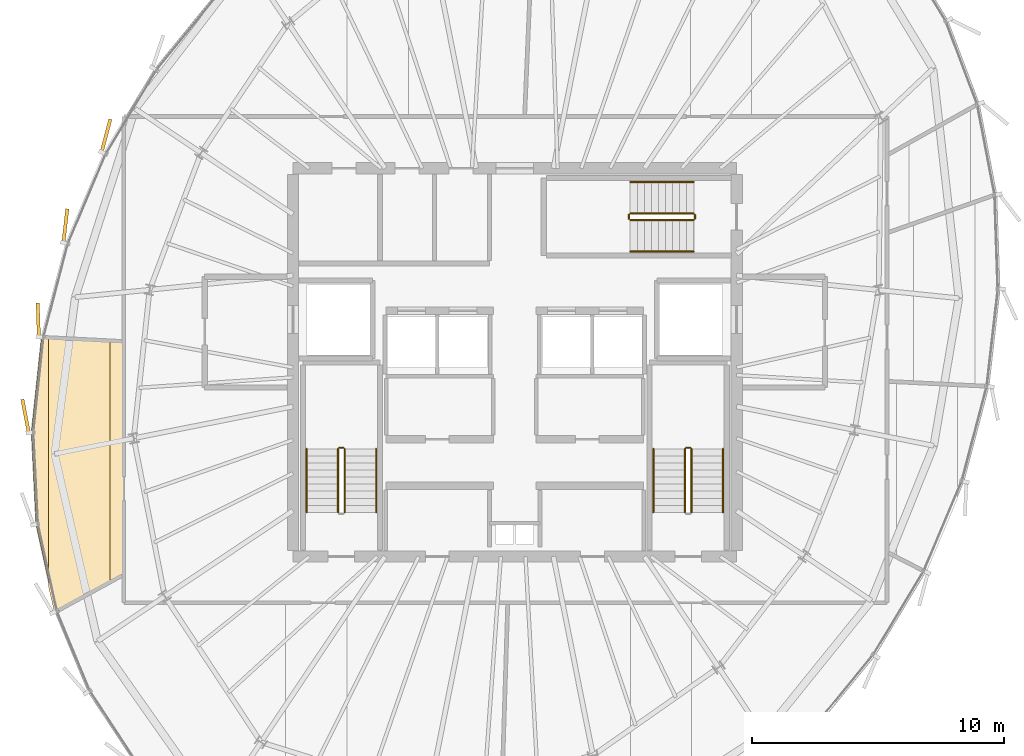
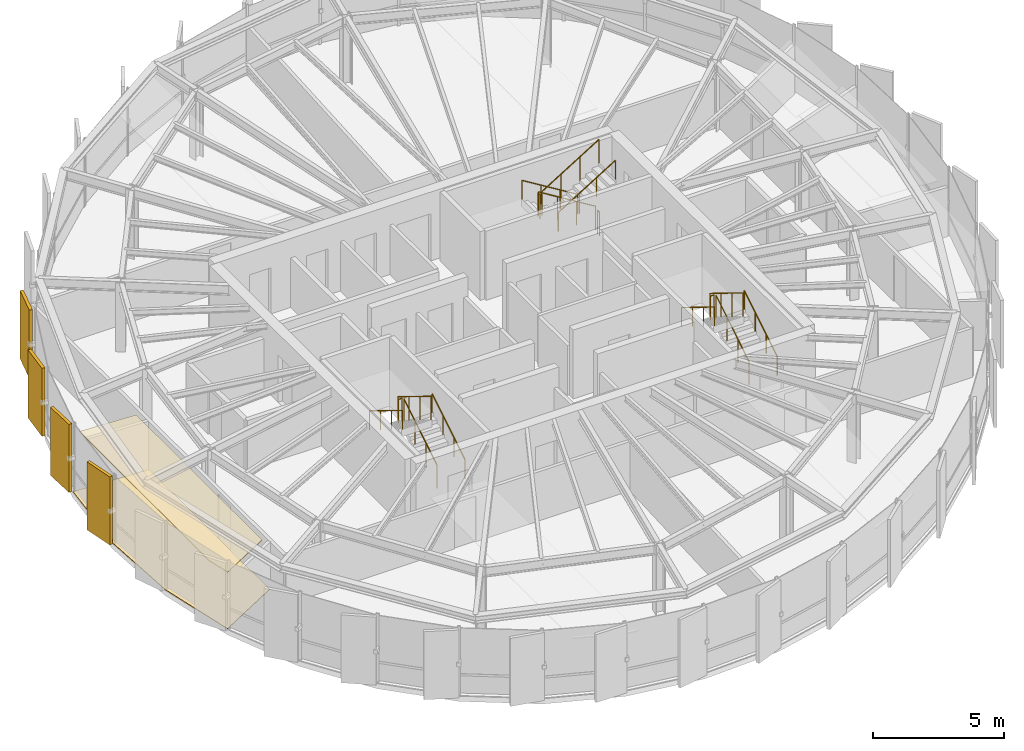
# One storey, part 30 of 31: 16 railings, 6 coverings.
"""IFC4 building model written with IfcOpenShell, lengths in metres."""

from ifc_helpers import new_model, si_unit, direction, frame, origin, origin_2d, place, context, subcontext, project, spatial, polyline, rectangle, circle, outline, extrude, source, transform, mapped, material, layer, layer_set, type_object, element, save


model = new_model("IFC4")

# Units and contexts
model_context = context("Model", 3, precision=1e-05, world=origin(), true_north=direction((0.0, 1.0)))
body_context = subcontext(model_context, "Body", "Model", "MODEL_VIEW")
ifc_project = project(units=[si_unit("LENGTHUNIT", "METRE"), si_unit("AREAUNIT", "SQUARE_METRE"), si_unit("VOLUMEUNIT", "CUBIC_METRE"), si_unit("PLANEANGLEUNIT", "RADIAN"), si_unit("MASSUNIT", "GRAM", prefix="KILO"), si_unit("THERMODYNAMICTEMPERATUREUNIT", "KELVIN")], contexts=[model_context])

# Site, building, storey
site_placement = place(None, origin())
site = spatial("IfcSite", under=ifc_project, at=site_placement, CompositionType="ELEMENT")
building_placement = place(site_placement, origin())
building = spatial("IfcBuilding", under=site, at=building_placement, Name="Kethvar Cultural Tower", CompositionType="ELEMENT")
storey_placement = place(building_placement, frame((0.0, 0.0, 287.050048828125)))
storey = spatial("IfcBuildingStorey", under=building, at=storey_placement, Name="L76", CompositionType="ELEMENT", Elevation=287.050048828125)

# Coverings
ifc_material_1 = material(Name="Acoustic Mineral Fibre Ceiling")
ifc_layer_1 = layer(ifc_material_1, 0.0400390625, Name="Acoustic Mineral Fibre Ceiling")
ifc_layer_set_1 = layer_set([ifc_layer_1], Name="Acoustic Mineral Fibre Ceiling (40 mm)")
covering_type_1 = type_object("IfcCoveringType", Name="CV-ACOUSTIC-CEIL", PredefinedType="CEILING", material=ifc_layer_set_1)
covering_1_placement = place(storey_placement, frame((0.0, 0.0, 2.669921875)))
element("IfcCovering", 1, at=covering_1_placement, inside=storey, type_object=covering_type_1, Name="L76 Room 08 Acoustic Ceiling Panel", PredefinedType="CEILING", context=body_context, shape_type="SweptSolid", body=[
    extrude(outline(polyline([(30.73779296875, 28.678466796875), (30.73779296875, 19.064453125), (28.538818359375, 17.876708984375), (28.307861328125, 18.87548828125), (28.307861328125, 28.808349609375), (30.73779296875, 28.678466796875)])), origin(), (0.0, 0.0, 1.0), 0.0400390625),
])
ifc_material_2 = material(Name="Architectural Oak Timber", Category="wood")
ifc_layer_2 = layer(ifc_material_2, 0.02490234375, Name="Architectural Oak Timber", Category="wood")
ifc_layer_set_2 = layer_set([ifc_layer_2], Name="Architectural Oak Timber (25 mm)")
covering_type_2 = type_object("IfcCoveringType", Name="CV-OAK-FLOOR", PredefinedType="FLOORING", material=ifc_layer_set_2)
covering_2_placement = place(storey_placement, origin())
element("IfcCovering", 2, at=covering_2_placement, inside=storey, type_object=covering_type_2, Name="L76 Room 08 Floor Finish", PredefinedType="FLOORING", context=body_context, shape_type="SweptSolid", body=[
    extrude(outline(polyline([(27.80126953125, 21.377197265625), (27.6181640625, 25.04736328125), (28.01611328125, 28.783935546875), (31.27001953125, 28.610107421875), (31.27001953125, 19.398681640625), (28.556396484375, 17.9267578125), (27.80126953125, 21.377197265625)])), origin(), (0.0, 0.0, 1.0), 0.02490234375),
])

# Railings
ifc_material_3 = material(Name="Steel S355J2", Category="steel")
railing_type_1 = type_object("IfcRailingType", Name="RL-STAIR-GUARD", PredefinedType="BALUSTRADE", material=ifc_material_3)
railing_1_placement = place(storey_placement, frame((40.050048828125, 21.85009765625, 0.17236328125)))
element("IfcRailing", 3, at=railing_1_placement, inside=storey, type_object=railing_type_1, Name="L76 ST-01 stair guard 1", PredefinedType="BALUSTRADE", context=body_context, shape_type="SweptSolid", body=[
    extrude(circle(Radius=0.02392578125, at=origin_2d()), frame((0.0, 0.0, 1.09619140625), z_axis=(0.0, 0.851400495292, 0.524516154772), x_axis=(-1.0, 0.0, 0.0)), (0.0, 0.0, 1.0), 2.9599609375),
    extrude(circle(Radius=0.02099609375, at=origin_2d()), origin(), (0.0, 0.0, 1.0), 1.072021484375),
    extrude(circle(Radius=0.02099609375, at=origin_2d()), frame((0.0, 0.840087890625, 0.517578125)), (0.0, 0.0, 1.0), 1.072021484375),
    extrude(circle(Radius=0.02099609375, at=origin_2d()), frame((0.0, 1.679931640625, 1.034912109375)), (0.0, 0.0, 1.0), 1.072021484375),
    extrude(circle(Radius=0.02099609375, at=origin_2d()), frame((0.0, 2.52001953125, 1.552490234375)), (0.0, 0.0, 1.0), 1.072021484375),
])
railing_2_placement = place(storey_placement, frame((40.0, 24.419921875, 1.724853515625)))
element("IfcRailing", 4, at=railing_2_placement, inside=storey, type_object=railing_type_1, Name="L76 ST-01 stair guard 2", PredefinedType="BALUSTRADE", context=body_context, shape_type="SweptSolid", body=[
    extrude(circle(Radius=0.02392578125, at=origin_2d()), frame((0.0, 0.0, 1.09619140625), z_axis=(-1.0, 0.0, 0.0), x_axis=(0.0, -1.0, 0.0)), (0.0, 0.0, 1.0), 0.159912109375),
    extrude(circle(Radius=0.02099609375, at=origin_2d()), origin(), (0.0, 0.0, 1.0), 1.072021484375),
    extrude(circle(Radius=0.02099609375, at=origin_2d()), frame((-0.159912109375, 0.0, 0.0)), (0.0, 0.0, 1.0), 1.072021484375),
])
railing_3_placement = place(storey_placement, frame((39.7900390625, 24.3701171875, 1.8974609375)))
element("IfcRailing", 5, at=railing_3_placement, inside=storey, type_object=railing_type_1, Name="L76 ST-01 stair guard 3", PredefinedType="BALUSTRADE", context=body_context, shape_type="SweptSolid", body=[
    extrude(circle(Radius=0.02392578125, at=origin_2d()), frame((0.0, 0.0, 1.09619140625), z_axis=(0.0, -0.851400495292, 0.524516154772), x_axis=(1.0, 0.0, 0.0)), (0.0, 0.0, 1.0), 2.9599609375),
    extrude(circle(Radius=0.02099609375, at=origin_2d()), origin(), (0.0, 0.0, 1.0), 1.072021484375),
    extrude(circle(Radius=0.02099609375, at=origin_2d()), frame((0.0, -0.840087890625, 0.517578125)), (0.0, 0.0, 1.0), 1.072021484375),
    extrude(circle(Radius=0.02099609375, at=origin_2d()), frame((0.0, -1.679931640625, 1.034912109375)), (0.0, 0.0, 1.0), 1.072021484375),
    extrude(circle(Radius=0.02099609375, at=origin_2d()), frame((0.0, -2.52001953125, 1.552490234375)), (0.0, 0.0, 1.0), 1.072021484375),
])
railing_4_placement = place(storey_placement, frame((53.81005859375, 21.85009765625, 0.17236328125)))
element("IfcRailing", 6, at=railing_4_placement, inside=storey, type_object=railing_type_1, Name="L76 ST-02 stair guard 1", PredefinedType="BALUSTRADE", context=body_context, shape_type="SweptSolid", body=[
    extrude(circle(Radius=0.02392578125, at=origin_2d()), frame((0.0, 0.0, 1.09619140625), z_axis=(0.0, 0.851400495292, 0.524516154772), x_axis=(-1.0, 0.0, 0.0)), (0.0, 0.0, 1.0), 2.9599609375),
    extrude(circle(Radius=0.02099609375, at=origin_2d()), origin(), (0.0, 0.0, 1.0), 1.072021484375),
    extrude(circle(Radius=0.02099609375, at=origin_2d()), frame((0.0, 0.840087890625, 0.517578125)), (0.0, 0.0, 1.0), 1.072021484375),
    extrude(circle(Radius=0.02099609375, at=origin_2d()), frame((0.0, 1.679931640625, 1.034912109375)), (0.0, 0.0, 1.0), 1.072021484375),
    extrude(circle(Radius=0.02099609375, at=origin_2d()), frame((0.0, 2.52001953125, 1.552490234375)), (0.0, 0.0, 1.0), 1.072021484375),
])
railing_5_placement = place(storey_placement, frame((53.760009765625, 24.419921875, 1.724853515625)))
element("IfcRailing", 7, at=railing_5_placement, inside=storey, type_object=railing_type_1, Name="L76 ST-02 stair guard 2", PredefinedType="BALUSTRADE", context=body_context, shape_type="SweptSolid", body=[
    extrude(circle(Radius=0.02392578125, at=origin_2d()), frame((0.0, 0.0, 1.09619140625), z_axis=(-1.0, 0.0, 0.0), x_axis=(0.0, -1.0, 0.0)), (0.0, 0.0, 1.0), 0.159912109375),
    extrude(circle(Radius=0.02099609375, at=origin_2d()), origin(), (0.0, 0.0, 1.0), 1.072021484375),
    extrude(circle(Radius=0.02099609375, at=origin_2d()), frame((-0.159912109375, 0.0, 0.0)), (0.0, 0.0, 1.0), 1.072021484375),
])
railing_6_placement = place(storey_placement, frame((53.550048828125, 24.3701171875, 1.8974609375)))
element("IfcRailing", 8, at=railing_6_placement, inside=storey, type_object=railing_type_1, Name="L76 ST-02 stair guard 3", PredefinedType="BALUSTRADE", context=body_context, shape_type="SweptSolid", body=[
    extrude(circle(Radius=0.02392578125, at=origin_2d()), frame((0.0, 0.0, 1.09619140625), z_axis=(0.0, -0.851400495292, 0.524516154772), x_axis=(1.0, 0.0, 0.0)), (0.0, 0.0, 1.0), 2.9599609375),
    extrude(circle(Radius=0.02099609375, at=origin_2d()), origin(), (0.0, 0.0, 1.0), 1.072021484375),
    extrude(circle(Radius=0.02099609375, at=origin_2d()), frame((0.0, -0.840087890625, 0.517578125)), (0.0, 0.0, 1.0), 1.072021484375),
    extrude(circle(Radius=0.02099609375, at=origin_2d()), frame((0.0, -1.679931640625, 1.034912109375)), (0.0, 0.0, 1.0), 1.072021484375),
    extrude(circle(Radius=0.02099609375, at=origin_2d()), frame((0.0, -2.52001953125, 1.552490234375)), (0.0, 0.0, 1.0), 1.072021484375),
])
railing_7_placement = place(storey_placement, frame((53.89990234375, 33.7099609375, 0.17236328125)))
element("IfcRailing", 9, at=railing_7_placement, inside=storey, type_object=railing_type_1, Name="L76 ST-03 stair guard 1", PredefinedType="BALUSTRADE", context=body_context, shape_type="SweptSolid", body=[
    extrude(circle(Radius=0.02392578125, at=origin_2d()), frame((0.0, 0.0, 1.09619140625), z_axis=(-0.851400495292, 0.0, 0.524516154772), x_axis=(0.0, -1.0, 0.0)), (0.0, 0.0, 1.0), 2.9599609375),
    extrude(circle(Radius=0.02099609375, at=origin_2d()), origin(), (0.0, 0.0, 1.0), 1.072021484375),
    extrude(circle(Radius=0.02099609375, at=origin_2d()), frame((-0.840087890625, 0.0, 0.517578125)), (0.0, 0.0, 1.0), 1.072021484375),
    extrude(circle(Radius=0.02099609375, at=origin_2d()), frame((-1.679931640625, 0.0, 1.034912109375)), (0.0, 0.0, 1.0), 1.072021484375),
    extrude(circle(Radius=0.02099609375, at=origin_2d()), frame((-2.52001953125, 0.0, 1.552490234375)), (0.0, 0.0, 1.0), 1.072021484375),
])
railing_8_placement = place(storey_placement, frame((51.330078125, 33.659912109375, 1.724853515625)))
element("IfcRailing", 10, at=railing_8_placement, inside=storey, type_object=railing_type_1, Name="L76 ST-03 stair guard 2", PredefinedType="BALUSTRADE", context=body_context, shape_type="SweptSolid", body=[
    extrude(circle(Radius=0.02392578125, at=origin_2d()), frame((0.0, 0.0, 1.09619140625), z_axis=(0.0, -1.0, 0.0), x_axis=(1.0, 0.0, 0.0)), (0.0, 0.0, 1.0), 0.159912109375),
    extrude(circle(Radius=0.02099609375, at=origin_2d()), origin(), (0.0, 0.0, 1.0), 1.072021484375),
    extrude(circle(Radius=0.02099609375, at=origin_2d()), frame((0.0, -0.159912109375, 0.0)), (0.0, 0.0, 1.0), 1.072021484375),
])
railing_9_placement = place(storey_placement, frame((51.3798828125, 33.449951171875, 1.8974609375)))
element("IfcRailing", 11, at=railing_9_placement, inside=storey, type_object=railing_type_1, Name="L76 ST-03 stair guard 3", PredefinedType="BALUSTRADE", context=body_context, shape_type="SweptSolid", body=[
    extrude(circle(Radius=0.02392578125, at=origin_2d()), frame((0.0, 0.0, 1.09619140625), z_axis=(0.851400495292, 0.0, 0.524516154772), x_axis=(0.0, 1.0, 0.0)), (0.0, 0.0, 1.0), 2.9599609375),
    extrude(circle(Radius=0.02099609375, at=origin_2d()), origin(), (0.0, 0.0, 1.0), 1.072021484375),
    extrude(circle(Radius=0.02099609375, at=origin_2d()), frame((0.840087890625, 0.0, 0.517578125)), (0.0, 0.0, 1.0), 1.072021484375),
    extrude(circle(Radius=0.02099609375, at=origin_2d()), frame((1.679931640625, 0.0, 1.034912109375)), (0.0, 0.0, 1.0), 1.072021484375),
    extrude(circle(Radius=0.02099609375, at=origin_2d()), frame((2.52001953125, 0.0, 1.552490234375)), (0.0, 0.0, 1.0), 1.072021484375),
])
railing_10_placement = place(storey_placement, frame((53.949951171875, 33.659912109375, 0.0)))
element("IfcRailing", 12, at=railing_10_placement, inside=storey, type_object=railing_type_1, Name="L76 ST-03 stair guard 4", PredefinedType="BALUSTRADE", context=body_context, shape_type="SweptSolid", body=[
    extrude(circle(Radius=0.02392578125, at=origin_2d()), frame((0.0, 0.0, 1.09619140625), z_axis=(0.0, -1.0, 0.0), x_axis=(1.0, 0.0, 0.0)), (0.0, 0.0, 1.0), 0.159912109375),
    extrude(circle(Radius=0.02099609375, at=origin_2d()), origin(), (0.0, 0.0, 1.0), 1.072021484375),
    extrude(circle(Radius=0.02099609375, at=origin_2d()), frame((0.0, -0.159912109375, 0.0)), (0.0, 0.0, 1.0), 1.072021484375),
])
railing_type_2 = type_object("IfcRailingType", Name="RL-STAIR-HANDRAIL", PredefinedType="HANDRAIL", material=ifc_material_3)
railing_11_placement = place(storey_placement, frame((41.300048828125, 21.85009765625, 0.17236328125)))
element("IfcRailing", 13, at=railing_11_placement, inside=storey, type_object=railing_type_2, Name="L76 ST-01 stair handrail 1", PredefinedType="HANDRAIL", context=body_context, shape_type="SweptSolid", body=[
    extrude(circle(Radius=0.02392578125, at=origin_2d()), frame((0.0, 0.0, 0.8759765625), z_axis=(0.0, 0.851400495292, 0.524516154772), x_axis=(-1.0, 0.0, 0.0)), (0.0, 0.0, 1.0), 2.9599609375),
    extrude(circle(Radius=0.02099609375, at=origin_2d()), origin(), (0.0, 0.0, 1.0), 0.851806640625),
    extrude(circle(Radius=0.02099609375, at=origin_2d()), frame((0.0, 0.840087890625, 0.517578125)), (0.0, 0.0, 1.0), 0.851806640625),
    extrude(circle(Radius=0.02099609375, at=origin_2d()), frame((0.0, 1.679931640625, 1.034912109375)), (0.0, 0.0, 1.0), 0.851806640625),
    extrude(circle(Radius=0.02099609375, at=origin_2d()), frame((0.0, 2.52001953125, 1.552490234375)), (0.0, 0.0, 1.0), 0.851806640625),
])
railing_12_placement = place(storey_placement, frame((38.5400390625, 24.3701171875, 1.8974609375)))
element("IfcRailing", 14, at=railing_12_placement, inside=storey, type_object=railing_type_2, Name="L76 ST-01 stair handrail 2", PredefinedType="HANDRAIL", context=body_context, shape_type="SweptSolid", body=[
    extrude(circle(Radius=0.02392578125, at=origin_2d()), frame((0.0, 0.0, 0.8759765625), z_axis=(0.0, -0.851400495292, 0.524516154772), x_axis=(1.0, 0.0, 0.0)), (0.0, 0.0, 1.0), 2.9599609375),
    extrude(circle(Radius=0.02099609375, at=origin_2d()), origin(), (0.0, 0.0, 1.0), 0.851806640625),
    extrude(circle(Radius=0.02099609375, at=origin_2d()), frame((0.0, -0.840087890625, 0.517578125)), (0.0, 0.0, 1.0), 0.851806640625),
    extrude(circle(Radius=0.02099609375, at=origin_2d()), frame((0.0, -1.679931640625, 1.034912109375)), (0.0, 0.0, 1.0), 0.851806640625),
    extrude(circle(Radius=0.02099609375, at=origin_2d()), frame((0.0, -2.52001953125, 1.552490234375)), (0.0, 0.0, 1.0), 0.851806640625),
])
railing_13_placement = place(storey_placement, frame((55.06005859375, 21.85009765625, 0.17236328125)))
element("IfcRailing", 15, at=railing_13_placement, inside=storey, type_object=railing_type_2, Name="L76 ST-02 stair handrail 1", PredefinedType="HANDRAIL", context=body_context, shape_type="SweptSolid", body=[
    extrude(circle(Radius=0.02392578125, at=origin_2d()), frame((0.0, 0.0, 0.8759765625), z_axis=(0.0, 0.851400495292, 0.524516154772), x_axis=(-1.0, 0.0, 0.0)), (0.0, 0.0, 1.0), 2.9599609375),
    extrude(circle(Radius=0.02099609375, at=origin_2d()), origin(), (0.0, 0.0, 1.0), 0.851806640625),
    extrude(circle(Radius=0.02099609375, at=origin_2d()), frame((0.0, 0.840087890625, 0.517578125)), (0.0, 0.0, 1.0), 0.851806640625),
    extrude(circle(Radius=0.02099609375, at=origin_2d()), frame((0.0, 1.679931640625, 1.034912109375)), (0.0, 0.0, 1.0), 0.851806640625),
    extrude(circle(Radius=0.02099609375, at=origin_2d()), frame((0.0, 2.52001953125, 1.552490234375)), (0.0, 0.0, 1.0), 0.851806640625),
])
railing_14_placement = place(storey_placement, frame((52.300048828125, 24.3701171875, 1.8974609375)))
element("IfcRailing", 16, at=railing_14_placement, inside=storey, type_object=railing_type_2, Name="L76 ST-02 stair handrail 2", PredefinedType="HANDRAIL", context=body_context, shape_type="SweptSolid", body=[
    extrude(circle(Radius=0.02392578125, at=origin_2d()), frame((0.0, 0.0, 0.8759765625), z_axis=(0.0, -0.851400495292, 0.524516154772), x_axis=(1.0, 0.0, 0.0)), (0.0, 0.0, 1.0), 2.9599609375),
    extrude(circle(Radius=0.02099609375, at=origin_2d()), origin(), (0.0, 0.0, 1.0), 0.851806640625),
    extrude(circle(Radius=0.02099609375, at=origin_2d()), frame((0.0, -0.840087890625, 0.517578125)), (0.0, 0.0, 1.0), 0.851806640625),
    extrude(circle(Radius=0.02099609375, at=origin_2d()), frame((0.0, -1.679931640625, 1.034912109375)), (0.0, 0.0, 1.0), 0.851806640625),
    extrude(circle(Radius=0.02099609375, at=origin_2d()), frame((0.0, -2.52001953125, 1.552490234375)), (0.0, 0.0, 1.0), 0.851806640625),
])
railing_15_placement = place(storey_placement, frame((53.89990234375, 34.9599609375, 0.17236328125)))
element("IfcRailing", 17, at=railing_15_placement, inside=storey, type_object=railing_type_2, Name="L76 ST-03 stair handrail 1", PredefinedType="HANDRAIL", context=body_context, shape_type="SweptSolid", body=[
    extrude(circle(Radius=0.02392578125, at=origin_2d()), frame((0.0, 0.0, 0.8759765625), z_axis=(-0.851400495292, 0.0, 0.524516154772), x_axis=(0.0, -1.0, 0.0)), (0.0, 0.0, 1.0), 2.9599609375),
    extrude(circle(Radius=0.02099609375, at=origin_2d()), origin(), (0.0, 0.0, 1.0), 0.851806640625),
    extrude(circle(Radius=0.02099609375, at=origin_2d()), frame((-0.840087890625, 0.0, 0.517578125)), (0.0, 0.0, 1.0), 0.851806640625),
    extrude(circle(Radius=0.02099609375, at=origin_2d()), frame((-1.679931640625, 0.0, 1.034912109375)), (0.0, 0.0, 1.0), 0.851806640625),
    extrude(circle(Radius=0.02099609375, at=origin_2d()), frame((-2.52001953125, 0.0, 1.552490234375)), (0.0, 0.0, 1.0), 0.851806640625),
])
railing_16_placement = place(storey_placement, frame((51.3798828125, 32.199951171875, 1.8974609375)))
element("IfcRailing", 18, at=railing_16_placement, inside=storey, type_object=railing_type_2, Name="L76 ST-03 stair handrail 2", PredefinedType="HANDRAIL", context=body_context, shape_type="SweptSolid", body=[
    extrude(circle(Radius=0.02392578125, at=origin_2d()), frame((0.0, 0.0, 0.8759765625), z_axis=(0.851400495292, 0.0, 0.524516154772), x_axis=(0.0, 1.0, 0.0)), (0.0, 0.0, 1.0), 2.9599609375),
    extrude(circle(Radius=0.02099609375, at=origin_2d()), origin(), (0.0, 0.0, 1.0), 0.851806640625),
    extrude(circle(Radius=0.02099609375, at=origin_2d()), frame((0.840087890625, 0.0, 0.517578125)), (0.0, 0.0, 1.0), 0.851806640625),
    extrude(circle(Radius=0.02099609375, at=origin_2d()), frame((1.679931640625, 0.0, 1.034912109375)), (0.0, 0.0, 1.0), 0.851806640625),
    extrude(circle(Radius=0.02099609375, at=origin_2d()), frame((2.52001953125, 0.0, 1.552490234375)), (0.0, 0.0, 1.0), 0.851806640625),
])

# Coverings
ifc_material_4 = material(Name="Extruded Architectural Terracotta", Category="masonry")
ifc_layer_3 = layer(ifc_material_4, 0.135009765625, Name="Extruded Architectural Terracotta", Category="masonry")
ifc_layer_set_3 = layer_set([ifc_layer_3], Name="Extruded Architectural Terracotta (135 mm)")
covering_type_3 = type_object("IfcCoveringType", Name="Terracotta Facade Fin FIN-03", PredefinedType="CLADDING", material=ifc_layer_set_3)
shared_shape = source(origin(), body_context, "Body", "SweptSolid", [
    extrude(rectangle(XDim=1.35009765625, YDim=0.135009765625, at=origin_2d()), origin(), (0.0, 0.0, 1.0), 3.169921875),
])
for number, where, z_axis, x_axis, name in (
    (19, (30.58251953125, 36.797607421875, 0.02001953125), (0.0, 0.0, 1.0), (0.256964124795, 0.966420942741, 0.0), "L76 Vertical Terracotta Fin 2.4"),
    (20, (28.969970703125, 33.221923828125, 0.02001953125), (0.0, 0.0, 1.0), (0.115110524996, 0.993352690153, 0.0), "L76 Vertical Terracotta Fin 2.5"),
    (21, (27.89599609375, 29.488037109375, 0.02001953125), (0.0, 0.0, 1.0), (-0.033504050301, 0.999438581711, 0.0), "L76 Vertical Terracotta Fin 2.6"),
    (22, (27.392822265625, 25.671142578125, 0.02001953125), (0.0, 0.0, 1.0), (-0.188409860458, 0.982090486912, 0.0), "L76 Vertical Terracotta Fin 3.1"),
):
    element("IfcCovering", number, at=place(storey_placement, frame(where, z_axis=z_axis, x_axis=x_axis)), inside=storey, type_object=covering_type_3, Name=name, PredefinedType="CLADDING", context=body_context, shape_type="MappedRepresentation", body=[
        mapped(shared_shape, transform((0.0, 0.0, 0.0), scale=1.0)),
    ])

save(model, "model.ifc")
